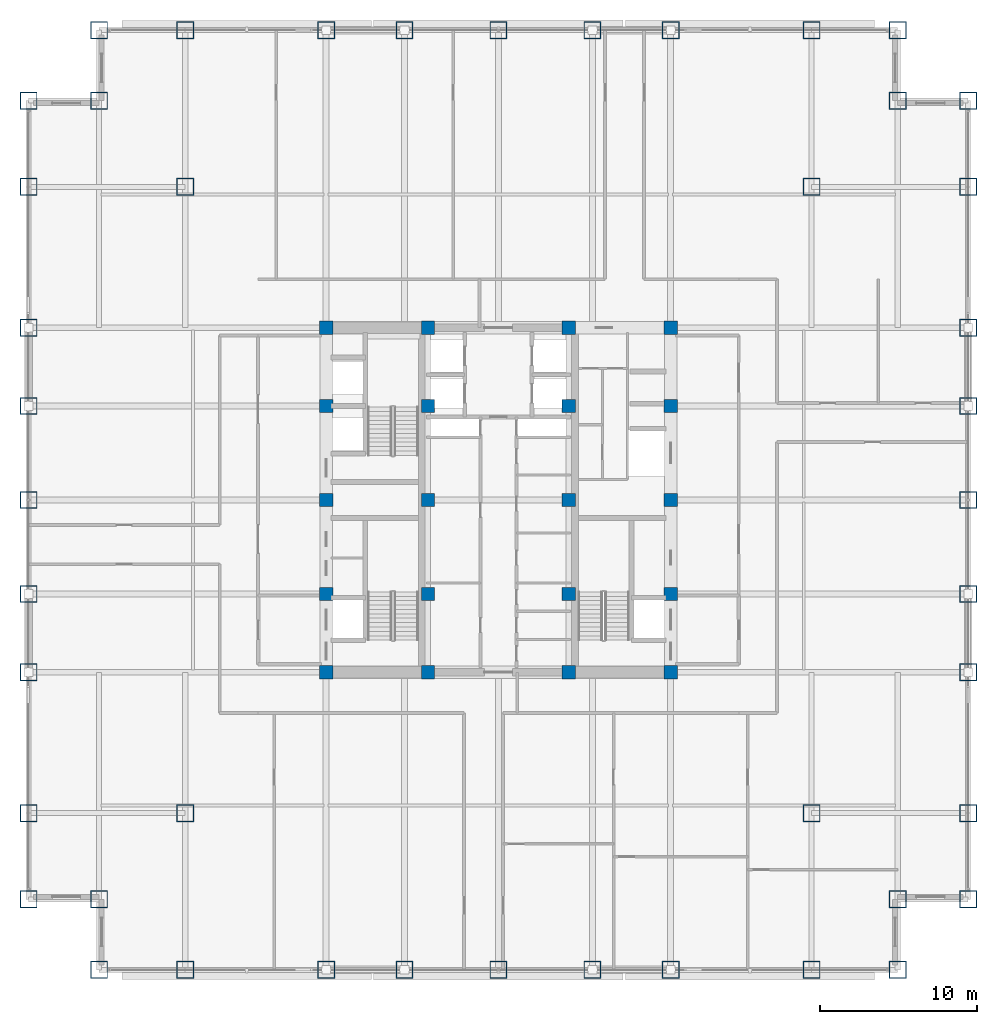
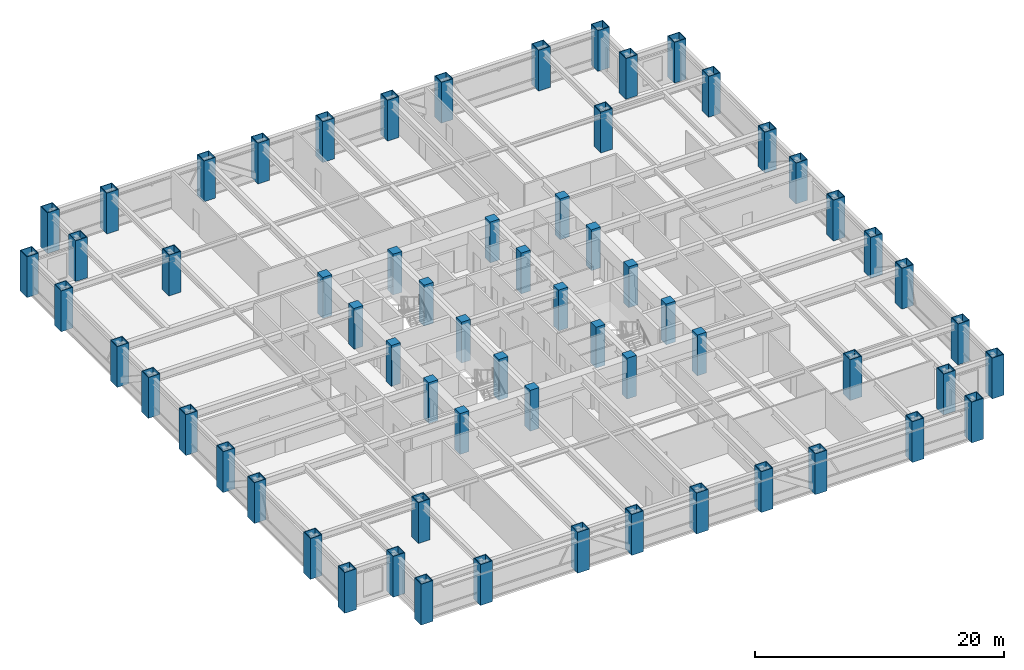
# One storey, part 1 of 28: 64 columns.
"""IFC4 building model written with IfcOpenShell, lengths in metres."""

from ifc_helpers import new_model, si_unit, direction, frame, origin, origin_2d, place, context, subcontext, project, spatial, rectangle, hollow_rectangle, extrude, source, transform, mapped, material, material_profile, profile_set, type_object, element, save


model = new_model("IFC4")

# Units and contexts
model_context = context("Model", 3, precision=1e-05, world=origin(), true_north=direction((0.0, 1.0)))
body_context = subcontext(model_context, "Body", "Model", "MODEL_VIEW")
ifc_project = project(units=[si_unit("LENGTHUNIT", "METRE"), si_unit("AREAUNIT", "SQUARE_METRE"), si_unit("VOLUMEUNIT", "CUBIC_METRE"), si_unit("PLANEANGLEUNIT", "RADIAN"), si_unit("MASSUNIT", "GRAM", prefix="KILO")], contexts=[model_context])

# Site, building, storey
site_placement = place(None, origin())
site = spatial("IfcSite", under=ifc_project, at=site_placement, CompositionType="ELEMENT")
building_placement = place(site_placement, origin())
building = spatial("IfcBuilding", under=site, at=building_placement, Name="Khorayat Bourse Tower", CompositionType="ELEMENT")
storey_placement = place(building_placement, frame((0.0, 0.0, 187.10009765625)))
storey = spatial("IfcBuildingStorey", under=building, at=storey_placement, Name="L43", CompositionType="ELEMENT", Elevation=187.10009765625)

# Columns
ifc_material_1 = material(Name="Steel EN 10025-4 S460M", Category="steel")
ifc_material_profile_1 = material_profile(ifc_material_1, hollow_rectangle(XDim=1.10009765625, YDim=1.10009765625, WallThickness=0.06005859375, at=origin_2d()), Name="BOX 1100x1100x60")
ifc_profile_set_1 = profile_set([ifc_material_profile_1], Name="Steel EN 10025-4 S460M")
column_type_1 = type_object("IfcColumnType", Name="COL-TUBE-1100", PredefinedType="COLUMN", material=ifc_profile_set_1)
shared_shape_1 = source(origin(), body_context, "Body", "SweptSolid", [
    extrude(hollow_rectangle(XDim=1.10009765625, YDim=1.10009765625, WallThickness=0.06005859375, at=origin_2d()), origin(), (0.0, 0.0, 1.0), 4.0),
])
for number, where, z_axis, x_axis, name in (
    (1, (-30.0, -25.5, 0.0), (0.0, 0.0, 1.0), (1.0, 0.0, 0.0), "L43 Column 001"),
    (2, (-30.0, -20.0, 0.0), (0.0, 0.0, 1.0), (1.0, 0.0, 0.0), "L43 Column 002"),
    (3, (-30.0, -11.0, 0.0), (0.0, 0.0, 1.0), (1.0, 0.0, 0.0), "L43 Column 003"),
    (4, (-30.0, -6.0, 0.0), (0.0, 0.0, 1.0), (1.0, 0.0, 0.0), "L43 Column 004"),
    (5, (-30.0, 0.0, 0.0), (0.0, 0.0, 1.0), (1.0, 0.0, 0.0), "L43 Column 005"),
    (6, (-30.0, 6.0, 0.0), (0.0, 0.0, 1.0), (1.0, 0.0, 0.0), "L43 Column 006"),
    (7, (-30.0, 11.0, 0.0), (0.0, 0.0, 1.0), (1.0, 0.0, 0.0), "L43 Column 007"),
    (8, (-30.0, 20.0, 0.0), (0.0, 0.0, 1.0), (1.0, 0.0, 0.0), "L43 Column 008"),
    (9, (-30.0, 25.5, 0.0), (0.0, 0.0, 1.0), (1.0, 0.0, 0.0), "L43 Column 009"),
    (10, (-25.5, -30.0, 0.0), (0.0, 0.0, 1.0), (1.0, 0.0, 0.0), "L43 Column 010"),
    (11, (-25.5, -25.5, 0.0), (0.0, 0.0, 1.0), (1.0, 0.0, 0.0), "L43 Column 011"),
    (12, (-25.5, 25.5, 0.0), (0.0, 0.0, 1.0), (1.0, 0.0, 0.0), "L43 Column 012"),
    (13, (-25.5, 30.0, 0.0), (0.0, 0.0, 1.0), (1.0, 0.0, 0.0), "L43 Column 013"),
    (14, (-20.0, -30.0, 0.0), (0.0, 0.0, 1.0), (1.0, 0.0, 0.0), "L43 Column 014"),
    (15, (-20.0, -20.0, 0.0), (0.0, 0.0, 1.0), (1.0, 0.0, 0.0), "L43 Column 015"),
    (16, (-20.0, 20.0, 0.0), (0.0, 0.0, 1.0), (1.0, 0.0, 0.0), "L43 Column 016"),
    (17, (-20.0, 30.0, 0.0), (0.0, 0.0, 1.0), (1.0, 0.0, 0.0), "L43 Column 017"),
    (18, (-11.0, -30.0, 0.0), (0.0, 0.0, 1.0), (1.0, 0.0, 0.0), "L43 Column 018"),
    (19, (-11.0, 30.0, 0.0), (0.0, 0.0, 1.0), (1.0, 0.0, 0.0), "L43 Column 024"),
    (20, (-6.0, -30.0, 0.0), (0.0, 0.0, 1.0), (1.0, 0.0, 0.0), "L43 Column 025"),
    (21, (-6.0, 30.0, 0.0), (0.0, 0.0, 1.0), (1.0, 0.0, 0.0), "L43 Column 026"),
    (22, (0.0, -30.0, 0.0), (0.0, 0.0, 1.0), (1.0, 0.0, 0.0), "L43 Column 032"),
    (23, (0.0, 30.0, 0.0), (0.0, 0.0, 1.0), (1.0, 0.0, 0.0), "L43 Column 033"),
    (24, (6.0, -30.0, 0.0), (0.0, 0.0, 1.0), (1.0, 0.0, 0.0), "L43 Column 039"),
    (25, (6.0, 30.0, 0.0), (0.0, 0.0, 1.0), (1.0, 0.0, 0.0), "L43 Column 040"),
    (26, (11.0, -30.0, 0.0), (0.0, 0.0, 1.0), (1.0, 0.0, 0.0), "L43 Column 041"),
    (27, (11.0, 30.0, 0.0), (0.0, 0.0, 1.0), (1.0, 0.0, 0.0), "L43 Column 047"),
    (28, (20.0, -30.0, 0.0), (0.0, 0.0, 1.0), (1.0, 0.0, 0.0), "L43 Column 048"),
    (29, (20.0, -20.0, 0.0), (0.0, 0.0, 1.0), (1.0, 0.0, 0.0), "L43 Column 049"),
    (30, (20.0, 20.0, 0.0), (0.0, 0.0, 1.0), (1.0, 0.0, 0.0), "L43 Column 050"),
    (31, (20.0, 30.0, 0.0), (0.0, 0.0, 1.0), (1.0, 0.0, 0.0), "L43 Column 051"),
    (32, (25.5, -30.0, 0.0), (0.0, 0.0, 1.0), (1.0, 0.0, 0.0), "L43 Column 052"),
    (33, (25.5, -25.5, 0.0), (0.0, 0.0, 1.0), (1.0, 0.0, 0.0), "L43 Column 053"),
    (34, (25.5, 25.5, 0.0), (0.0, 0.0, 1.0), (1.0, 0.0, 0.0), "L43 Column 054"),
    (35, (25.5, 30.0, 0.0), (0.0, 0.0, 1.0), (1.0, 0.0, 0.0), "L43 Column 055"),
    (36, (30.0, -25.5, 0.0), (0.0, 0.0, 1.0), (1.0, 0.0, 0.0), "L43 Column 056"),
    (37, (30.0, -20.0, 0.0), (0.0, 0.0, 1.0), (1.0, 0.0, 0.0), "L43 Column 057"),
    (38, (30.0, -11.0, 0.0), (0.0, 0.0, 1.0), (1.0, 0.0, 0.0), "L43 Column 058"),
    (39, (30.0, -6.0, 0.0), (0.0, 0.0, 1.0), (1.0, 0.0, 0.0), "L43 Column 059"),
    (40, (30.0, 0.0, 0.0), (0.0, 0.0, 1.0), (1.0, 0.0, 0.0), "L43 Column 060"),
    (41, (30.0, 6.0, 0.0), (0.0, 0.0, 1.0), (1.0, 0.0, 0.0), "L43 Column 061"),
    (42, (30.0, 11.0, 0.0), (0.0, 0.0, 1.0), (1.0, 0.0, 0.0), "L43 Column 062"),
    (43, (30.0, 20.0, 0.0), (0.0, 0.0, 1.0), (1.0, 0.0, 0.0), "L43 Column 063"),
    (44, (30.0, 25.5, 0.0), (0.0, 0.0, 1.0), (1.0, 0.0, 0.0), "L43 Column 064"),
):
    element("IfcColumn", number, at=place(storey_placement, frame(where, z_axis=z_axis, x_axis=x_axis)), inside=storey, type_object=column_type_1, Name=name, PredefinedType="COLUMN", context=body_context, shape_type="MappedRepresentation", body=[
        mapped(shared_shape_1, transform((0.0, 0.0, 0.0), scale=1.0)),
    ])
ifc_material_2 = material(Name="Concrete C60/75", Category="concrete")
ifc_material_profile_2 = material_profile(ifc_material_2, rectangle(XDim=0.85009765625, YDim=0.85009765625, at=origin_2d()), Name="RC 850x850")
ifc_profile_set_2 = profile_set([ifc_material_profile_2], Name="Concrete C60/75")
column_type_2 = type_object("IfcColumnType", Name="COL-CORE-850", PredefinedType="COLUMN", material=ifc_profile_set_2)
shared_shape_2 = source(origin(), body_context, "Body", "SweptSolid", [
    extrude(rectangle(XDim=0.85009765625, YDim=0.85009765625, at=origin_2d()), origin(), (0.0, 0.0, 1.0), 4.0),
])
for number, where, z_axis, x_axis, name in (
    (45, (-11.0, -11.0, 0.0), (0.0, 0.0, 1.0), (1.0, 0.0, 0.0), "L43 Column 019"),
    (46, (-11.0, -6.0, 0.0), (0.0, 0.0, 1.0), (1.0, 0.0, 0.0), "L43 Column 020"),
    (47, (-11.0, 0.0, 0.0), (0.0, 0.0, 1.0), (1.0, 0.0, 0.0), "L43 Column 021"),
    (48, (-11.0, 6.0, 0.0), (0.0, 0.0, 1.0), (1.0, 0.0, 0.0), "L43 Column 022"),
    (49, (-11.0, 11.0, 0.0), (0.0, 0.0, 1.0), (1.0, 0.0, 0.0), "L43 Column 023"),
    (50, (-4.5, -11.0, 0.0), (0.0, 0.0, 1.0), (1.0, 0.0, 0.0), "L43 Column 027"),
    (51, (-4.5, -6.0, 0.0), (0.0, 0.0, 1.0), (1.0, 0.0, 0.0), "L43 Column 028"),
    (52, (-4.5, 0.0, 0.0), (0.0, 0.0, 1.0), (1.0, 0.0, 0.0), "L43 Column 029"),
    (53, (-4.5, 6.0, 0.0), (0.0, 0.0, 1.0), (1.0, 0.0, 0.0), "L43 Column 030"),
    (54, (-4.5, 11.0, 0.0), (0.0, 0.0, 1.0), (1.0, 0.0, 0.0), "L43 Column 031"),
    (55, (4.5, -11.0, 0.0), (0.0, 0.0, 1.0), (1.0, 0.0, 0.0), "L43 Column 034"),
    (56, (4.5, -6.0, 0.0), (0.0, 0.0, 1.0), (1.0, 0.0, 0.0), "L43 Column 035"),
    (57, (4.5, 0.0, 0.0), (0.0, 0.0, 1.0), (1.0, 0.0, 0.0), "L43 Column 036"),
    (58, (4.5, 6.0, 0.0), (0.0, 0.0, 1.0), (1.0, 0.0, 0.0), "L43 Column 037"),
    (59, (4.5, 11.0, 0.0), (0.0, 0.0, 1.0), (1.0, 0.0, 0.0), "L43 Column 038"),
    (60, (11.0, -11.0, 0.0), (0.0, 0.0, 1.0), (1.0, 0.0, 0.0), "L43 Column 042"),
    (61, (11.0, -6.0, 0.0), (0.0, 0.0, 1.0), (1.0, 0.0, 0.0), "L43 Column 043"),
    (62, (11.0, 0.0, 0.0), (0.0, 0.0, 1.0), (1.0, 0.0, 0.0), "L43 Column 044"),
    (63, (11.0, 6.0, 0.0), (0.0, 0.0, 1.0), (1.0, 0.0, 0.0), "L43 Column 045"),
    (64, (11.0, 11.0, 0.0), (0.0, 0.0, 1.0), (1.0, 0.0, 0.0), "L43 Column 046"),
):
    element("IfcColumn", number, at=place(storey_placement, frame(where, z_axis=z_axis, x_axis=x_axis)), inside=storey, type_object=column_type_2, Name=name, PredefinedType="COLUMN", context=body_context, shape_type="MappedRepresentation", body=[
        mapped(shared_shape_2, transform((0.0, 0.0, 0.0), scale=1.0)),
    ])

save(model, "model.ifc")
